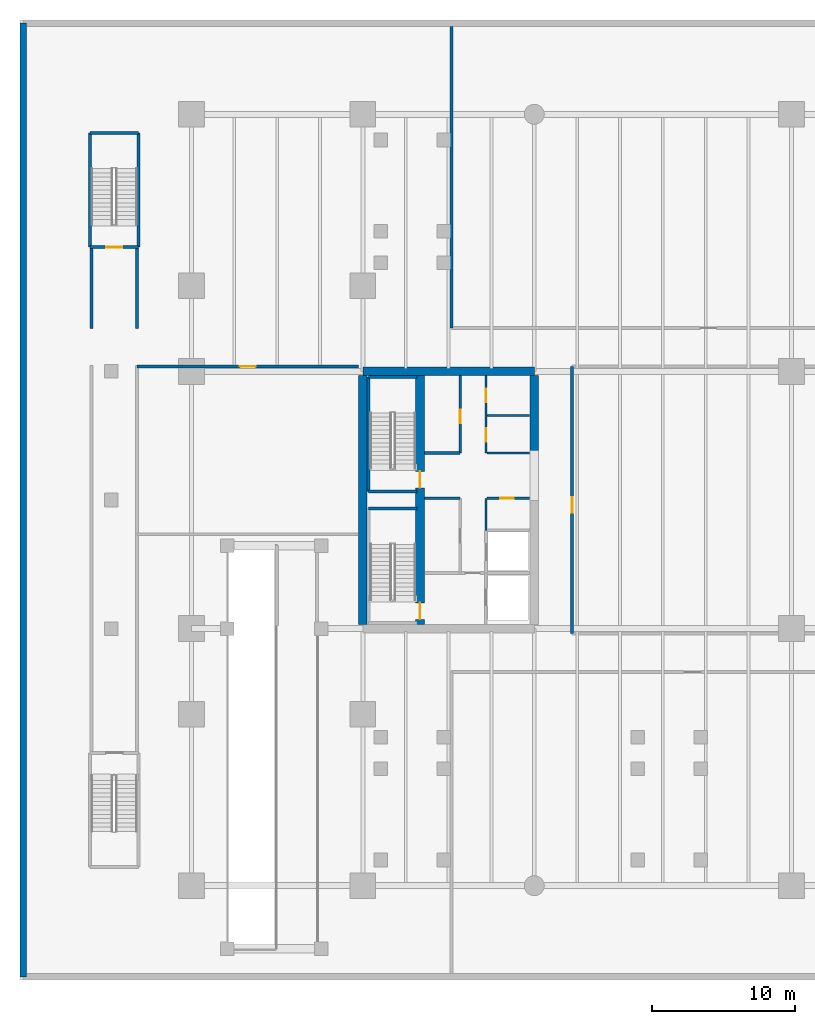
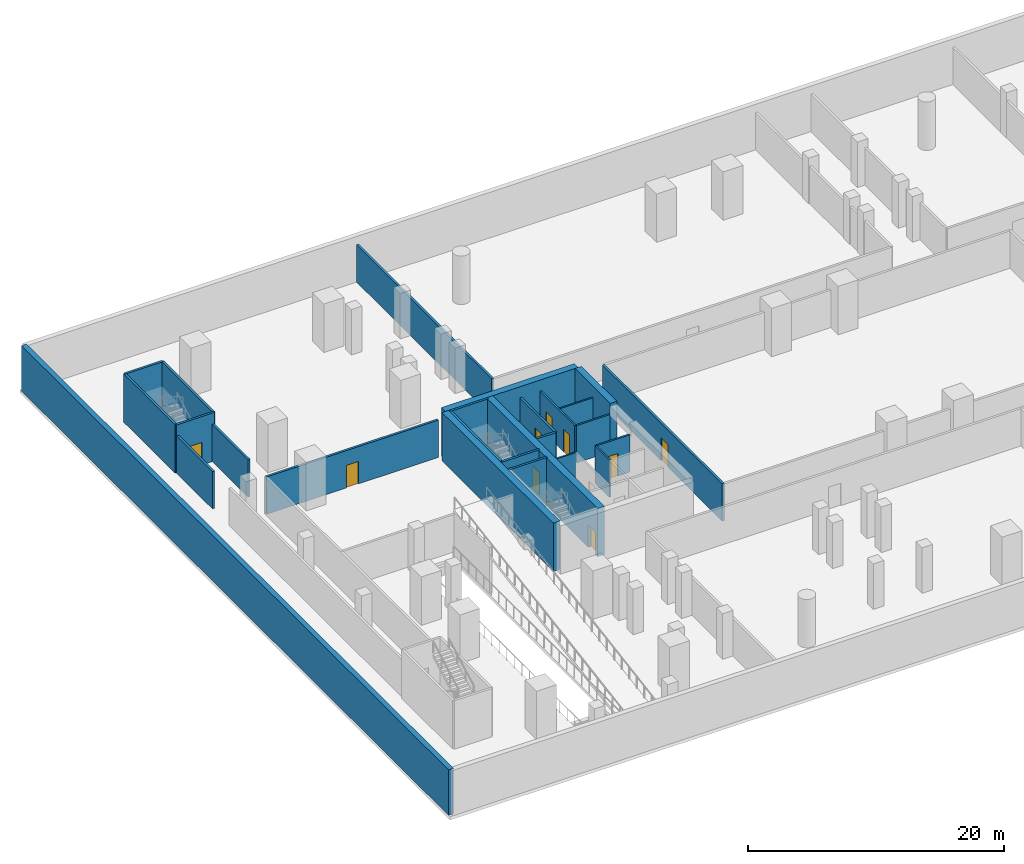
# One storey, part 6 of 13: 26 walls, 9 doors, 9 openings.
"""IFC4 building model written with IfcOpenShell, lengths in metres."""

from ifc_helpers import new_model, si_unit, direction, frame, frame_2d, origin, place, context, subcontext, project, spatial, rectangle, extrude, material, layer, layer_set, type_object, element, fill, save


model = new_model("IFC4")

# Units and contexts
model_context = context("Model", 3, precision=1e-05, world=origin(), true_north=direction((0.0, 1.0)))
body_context = subcontext(model_context, "Body", "Model", "MODEL_VIEW")
ifc_project = project(units=[si_unit("LENGTHUNIT", "METRE"), si_unit("AREAUNIT", "SQUARE_METRE"), si_unit("VOLUMEUNIT", "CUBIC_METRE"), si_unit("PLANEANGLEUNIT", "RADIAN"), si_unit("MASSUNIT", "GRAM", prefix="KILO")], contexts=[model_context])

# Site, building, storey
site_placement = place(None, origin())
site = spatial("IfcSite", under=ifc_project, at=site_placement, CompositionType="ELEMENT")
building_placement = place(site_placement, origin())
building = spatial("IfcBuilding", under=site, at=building_placement, Name="Tanjung Sevakor Pilgrim Tower", CompositionType="ELEMENT")
storey_placement = place(building_placement, frame((0.0, 0.0, -4.6201171875)))
storey = spatial("IfcBuildingStorey", under=building, at=storey_placement, Name="B01", CompositionType="ELEMENT", Elevation=-4.6201171875)

# Walls
ifc_material_1 = material(Name="Concrete C60/75", Category="concrete")
ifc_layer_1 = layer(ifc_material_1, 0.60009765625)
ifc_layer_set_1 = layer_set([ifc_layer_1], Name="WALL-CW-600B")
wall_type_1 = type_object("IfcWallType", Name="WALL-CW-600B", PredefinedType="SHEAR", material=ifc_layer_set_1)
wall_1_placement = place(storey_placement, frame((36.0, 42.60009765625, 0.0), z_axis=(0.0, 0.0, 1.0), x_axis=(-1.0, 0.0, 0.0)))
element("IfcWall", 1, at=wall_1_placement, inside=storey, type_object=wall_type_1, Name="B01 W Core North Shear Wall", PredefinedType="SHEAR", context=body_context, shape_type="SweptSolid", body=[
    extrude(rectangle(XDim=12.0, YDim=0.60009765625, at=frame_2d((6.0, 0.0))), origin(), (0.0, 0.0, 1.0), 4.6201171875),
])
wall_2_placement = place(storey_placement, frame((24.0, 24.89990234375, 0.0), z_axis=(0.0, 0.0, 1.0), x_axis=(0.0, 1.0, 0.0)))
element("IfcWall", 2, at=wall_2_placement, inside=storey, type_object=wall_type_1, Name="B01 W Core Outer Shear Wall", PredefinedType="SHEAR", context=body_context, shape_type="SweptSolid", body=[
    extrude(rectangle(XDim=17.400146484375, YDim=0.60009765625, at=frame_2d((8.7001953125, 0.0))), origin(), (0.0, 0.0, 1.0), 4.6201171875),
])
wall_3_placement = place(storey_placement, frame((36.0, 36.800048828125, 0.0), z_axis=(0.0, 0.0, 1.0), x_axis=(0.0, 1.0, 0.0)))
element("IfcWall", 3, at=wall_3_placement, inside=storey, type_object=wall_type_1, Name="B01 W Core Inner Shear Wall North", PredefinedType="SHEAR", context=body_context, shape_type="SweptSolid", body=[
    extrude(rectangle(XDim=5.5, YDim=0.60009765625, at=frame_2d((2.75, 0.0))), origin(), (0.0, 0.0, 1.0), 4.6201171875),
])

# Wall, openings, doors
wall_4_placement = place(storey_placement, frame((28.0, 24.89990234375, 0.0), z_axis=(0.0, 0.0, 1.0), x_axis=(0.0, 1.0, 0.0)))
wall_4 = element("IfcWall", 4, at=wall_4_placement, inside=storey, type_object=wall_type_1, Name="B01 W Core Stair Spine Wall", PredefinedType="SHEAR", context=body_context, shape_type="SweptSolid", body=[
    extrude(rectangle(XDim=17.400146484375, YDim=0.60009765625, at=frame_2d((8.7001953125, 0.0))), origin(), (0.0, 0.0, 1.0), 4.6201171875),
])
opening_1_placement = place(wall_4_placement, frame((0.35009765625, 0.0, 0.0)))
opening_1 = element("IfcOpeningElement", 5, at=opening_1_placement, cuts=wall_4, Name="Opening ID-ST1", PredefinedType="OPENING", context=body_context, shape_type="SweptSolid", body=[
    extrude(rectangle(XDim=1.14990234375, YDim=2.14990234375, at=frame_2d((0.574951171875, 1.074951171875))), frame((0.0, 0.31005859375, 0.0), z_axis=(0.0, -1.0, 0.0), x_axis=(1.0, 0.0, 0.0)), (0.0, 0.0, 1.0), 0.6201171875),
])
opening_2_placement = place(wall_4_placement, frame((9.550048828125, 0.0, 0.0)))
opening_2 = element("IfcOpeningElement", 6, at=opening_2_placement, cuts=wall_4, Name="Opening ID-ST1", PredefinedType="OPENING", context=body_context, shape_type="SweptSolid", body=[
    extrude(rectangle(XDim=1.14990234375, YDim=2.14990234375, at=frame_2d((0.574951171875, 1.074951171875))), frame((0.0, 0.31005859375, 0.0), z_axis=(0.0, -1.0, 0.0), x_axis=(1.0, 0.0, 0.0)), (0.0, 0.0, 1.0), 0.6201171875),
])
ifc_material_2 = material(Name="Fire-Rated Steel S355J2", Category="steel")
door_type_1 = type_object("IfcDoorType", Name="DT-FIRE-1150", OperationType="NOTDEFINED", PredefinedType="DOOR", material=ifc_material_2)
door_1_placement = place(opening_1_placement, origin())
door_1 = element("IfcDoor", 7, at=door_1_placement, inside=storey, type_object=door_type_1, Name="B01 TS-W1 Stair Fire Door", OperationType="SINGLE_SWING_RIGHT", OverallHeight=2.14990234375, OverallWidth=1.14990234375, PredefinedType="DOOR", context=body_context, shape_type="SweptSolid", body=[
    extrude(rectangle(XDim=1.14990234375, YDim=2.14990234375, at=frame_2d((0.574951171875, 1.074951171875))), frame((0.0, 0.02490234375, 0.0), z_axis=(0.0, -1.0, 0.0), x_axis=(1.0, 0.0, 0.0)), (0.0, 0.0, 1.0), 0.050048828125),
])
fill(opening_1, door_1)
door_2_placement = place(opening_2_placement, origin())
door_2 = element("IfcDoor", 8, at=door_2_placement, inside=storey, type_object=door_type_1, Name="B01 TS-W2 Stair Fire Door", OperationType="SINGLE_SWING_LEFT", OverallHeight=2.14990234375, OverallWidth=1.14990234375, PredefinedType="DOOR", context=body_context, shape_type="SweptSolid", body=[
    extrude(rectangle(XDim=1.14990234375, YDim=2.14990234375, at=frame_2d((0.574951171875, 1.074951171875))), frame((0.0, 0.02490234375, 0.0), z_axis=(0.0, -1.0, 0.0), x_axis=(1.0, 0.0, 0.0)), (0.0, 0.0, 1.0), 0.050048828125),
])
fill(opening_2, door_2)

# Walls
ifc_material_3 = material(Name="Concrete C40/50", Category="concrete")
ifc_layer_2 = layer(ifc_material_3, 0.14990234375)
ifc_layer_set_2 = layer_set([ifc_layer_2], Name="WT-COMP-150")
wall_type_2 = type_object("IfcWallType", Name="WT-COMP-150", PredefinedType="SOLIDWALL", material=ifc_layer_set_2)
wall_5_placement = place(storey_placement, frame((28.320068359375, 33.719970703125, 0.0), z_axis=(0.0, 0.0, 1.0), x_axis=(1.0, 0.0, 0.0)))
element("IfcWall", 9, at=wall_5_placement, inside=storey, type_object=wall_type_2, Name="B01 Partition IW-B01-003", PredefinedType="SOLIDWALL", context=body_context, shape_type="SweptSolid", body=[
    extrude(rectangle(XDim=2.47998046875, YDim=0.14990234375, at=frame_2d((1.239990234375, 0.0))), origin(), (0.0, 0.0, 1.0), 3.56005859375),
])
wall_6_placement = place(storey_placement, frame((32.6201171875, 31.47998046875, 0.0), z_axis=(0.0, 0.0, 1.0), x_axis=(0.0, 1.0, 0.0)))
element("IfcWall", 10, at=wall_6_placement, inside=storey, type_object=wall_type_2, Name="B01 Partition IW-B01-007", PredefinedType="SOLIDWALL", context=body_context, shape_type="SweptSolid", body=[
    extrude(rectangle(XDim=2.239990234375, YDim=0.14990234375, at=frame_2d((1.1201171875, 0.0))), origin(), (0.0, 0.0, 1.0), 3.56005859375),
])

# Wall, opening, door
wall_7_placement = place(storey_placement, frame((32.679931640625, 33.719970703125, 0.0), z_axis=(0.0, 0.0, 1.0), x_axis=(1.0, 0.0, 0.0)))
wall_7 = element("IfcWall", 11, at=wall_7_placement, inside=storey, type_object=wall_type_2, Name="B01 Partition IW-B01-008", PredefinedType="SOLIDWALL", context=body_context, shape_type="SweptSolid", body=[
    extrude(rectangle(XDim=3.0, YDim=0.14990234375, at=frame_2d((1.5, 0.0))), origin(), (0.0, 0.0, 1.0), 3.56005859375),
])
opening_3_placement = place(wall_7_placement, frame((0.949951171875, 0.0, 0.0)))
opening_3 = element("IfcOpeningElement", 12, at=opening_3_placement, cuts=wall_7, Name="Opening ID-FD2", PredefinedType="OPENING", context=body_context, shape_type="SweptSolid", body=[
    extrude(rectangle(XDim=0.949951171875, YDim=2.14990234375, at=frame_2d((0.47509765625, 1.074951171875))), frame((0.0, 0.0849609375, 0.0), z_axis=(0.0, -1.0, 0.0), x_axis=(1.0, 0.0, 0.0)), (0.0, 0.0, 1.0), 0.169921875),
])
ifc_material_4 = material(Name="Fire-Rated Timber", Category="wood")
door_type_2 = type_object("IfcDoorType", Name="DT-FIRE-950", OperationType="NOTDEFINED", PredefinedType="DOOR", material=ifc_material_4)
door_3_placement = place(opening_3_placement, origin())
door_3 = element("IfcDoor", 13, at=door_3_placement, inside=storey, type_object=door_type_2, Name="B01 Accessible WC Door", OperationType="SINGLE_SWING_LEFT", OverallHeight=2.14990234375, OverallWidth=0.949951171875, PredefinedType="DOOR", context=body_context, shape_type="SweptSolid", body=[
    extrude(rectangle(XDim=0.949951171875, YDim=2.14990234375, at=frame_2d((0.47509765625, 1.074951171875))), frame((0.0, 0.02490234375, 0.0), z_axis=(0.0, -1.0, 0.0), x_axis=(1.0, 0.0, 0.0)), (0.0, 0.0, 1.0), 0.050048828125),
])
fill(opening_3, door_3)

# Walls
for number, where, z_axis, x_axis, name in (
    (14, (32.679931640625, 36.8798828125, 0.0), (0.0, 0.0, 1.0), (1.0, 0.0, 0.0), "B01 Partition IW-B01-011"),
    (15, (32.679931640625, 39.52001953125, 0.0), (0.0, 0.0, 1.0), (1.0, 0.0, 0.0), "B01 Partition IW-B01-012"),
):
    element("IfcWall", number, at=place(storey_placement, frame(where, z_axis=z_axis, x_axis=x_axis)), inside=storey, type_object=wall_type_2, Name=name, PredefinedType="SOLIDWALL", context=body_context, shape_type="SweptSolid", body=[
        extrude(rectangle(XDim=3.0, YDim=0.14990234375, at=frame_2d((1.5, 0.0))), origin(), (0.0, 0.0, 1.0), 3.56005859375),
    ])

# Wall, openings, doors
wall_8_placement = place(storey_placement, frame((32.6201171875, 36.8798828125, 0.0), z_axis=(0.0, 0.0, 1.0), x_axis=(0.0, 1.0, 0.0)))
wall_8 = element("IfcWall", 16, at=wall_8_placement, inside=storey, type_object=wall_type_2, Name="B01 Partition IW-B01-013", PredefinedType="SOLIDWALL", context=body_context, shape_type="SweptSolid", body=[
    extrude(rectangle(XDim=5.420166015625, YDim=0.14990234375, at=frame_2d((2.7099609375, 0.0))), origin(), (0.0, 0.0, 1.0), 3.56005859375),
])
opening_4_placement = place(wall_8_placement, frame((0.800048828125, 0.0, 0.0)))
opening_4 = element("IfcOpeningElement", 17, at=opening_4_placement, cuts=wall_8, Name="Opening ID-FD2", PredefinedType="OPENING", context=body_context, shape_type="SweptSolid", body=[
    extrude(rectangle(XDim=0.949951171875, YDim=2.14990234375, at=frame_2d((0.47509765625, 1.074951171875))), frame((0.0, 0.0849609375, 0.0), z_axis=(0.0, -1.0, 0.0), x_axis=(1.0, 0.0, 0.0)), (0.0, 0.0, 1.0), 0.169921875),
])
opening_5_placement = place(wall_8_placement, frame((3.550048828125, 0.0, 0.0)))
opening_5 = element("IfcOpeningElement", 18, at=opening_5_placement, cuts=wall_8, Name="Opening ID-FD2", PredefinedType="OPENING", context=body_context, shape_type="SweptSolid", body=[
    extrude(rectangle(XDim=0.949951171875, YDim=2.14990234375, at=frame_2d((0.47509765625, 1.074951171875))), frame((0.0, 0.0849609375, 0.0), z_axis=(0.0, -1.0, 0.0), x_axis=(1.0, 0.0, 0.0)), (0.0, 0.0, 1.0), 0.169921875),
])
door_4_placement = place(opening_4_placement, origin())
door_4 = element("IfcDoor", 19, at=door_4_placement, inside=storey, type_object=door_type_2, Name="B01 Public Male WC Door", OperationType="SINGLE_SWING_LEFT", OverallHeight=2.14990234375, OverallWidth=0.949951171875, PredefinedType="DOOR", context=body_context, shape_type="SweptSolid", body=[
    extrude(rectangle(XDim=0.949951171875, YDim=2.14990234375, at=frame_2d((0.47509765625, 1.074951171875))), frame((0.0, 0.02490234375, 0.0), z_axis=(0.0, -1.0, 0.0), x_axis=(1.0, 0.0, 0.0)), (0.0, 0.0, 1.0), 0.050048828125),
])
fill(opening_4, door_4)
door_5_placement = place(opening_5_placement, origin())
door_5 = element("IfcDoor", 20, at=door_5_placement, inside=storey, type_object=door_type_2, Name="B01 Public Female WC Door", OperationType="SINGLE_SWING_RIGHT", OverallHeight=2.14990234375, OverallWidth=0.949951171875, PredefinedType="DOOR", context=body_context, shape_type="SweptSolid", body=[
    extrude(rectangle(XDim=0.949951171875, YDim=2.14990234375, at=frame_2d((0.47509765625, 1.074951171875))), frame((0.0, 0.02490234375, 0.0), z_axis=(0.0, -1.0, 0.0), x_axis=(1.0, 0.0, 0.0)), (0.0, 0.0, 1.0), 0.050048828125),
])
fill(opening_5, door_5)

# Walls
ifc_material_5 = material(Name="Concrete C40/50", Category="concrete")
ifc_layer_3 = layer(ifc_material_5, 0.199951171875)
ifc_layer_set_3 = layer_set([ifc_layer_3], Name="WT-FIRE-200")
wall_type_3 = type_object("IfcWallType", Name="WT-FIRE-200", PredefinedType="SOLIDWALL", material=ifc_layer_set_3)
for number, where, z_axis, x_axis, name in (
    (21, (27.800048828125, 33.0, 0.0), (0.0, 0.0, 1.0), (-1.0, 0.0, 0.0), "B01 TS-W1 Shaft Wall 2"),
    (22, (24.39990234375, 34.199951171875, 0.0), (0.0, 0.0, 1.0), (1.0, 0.0, 0.0), "B01 TS-W2 Shaft Wall 1"),
    (23, (27.800048828125, 42.199951171875, 0.0), (0.0, 0.0, 1.0), (-1.0, 0.0, 0.0), "B01 TS-W2 Shaft Wall 2"),
):
    element("IfcWall", number, at=place(storey_placement, frame(where, z_axis=z_axis, x_axis=x_axis)), inside=storey, type_object=wall_type_3, Name=name, PredefinedType="SOLIDWALL", context=body_context, shape_type="SweptSolid", body=[
        extrude(rectangle(XDim=3.400146484375, YDim=0.199951171875, at=frame_2d((1.7001953125, 0.0))), origin(), (0.0, 0.0, 1.0), 4.6201171875),
    ])
wall_9_placement = place(storey_placement, frame((24.39990234375, 42.199951171875, 0.0), z_axis=(0.0, 0.0, 1.0), x_axis=(0.0, -1.0, 0.0)))
element("IfcWall", 24, at=wall_9_placement, inside=storey, type_object=wall_type_3, Name="B01 TS-W2 Shaft Wall 3", PredefinedType="SOLIDWALL", context=body_context, shape_type="SweptSolid", body=[
    extrude(rectangle(XDim=8.0, YDim=0.199951171875, at=frame_2d((4.0, 0.0))), origin(), (0.0, 0.0, 1.0), 4.6201171875),
])

# Wall, opening, door
wall_10_placement = place(storey_placement, frame((4.89990234375, 51.300048828125, 0.0), z_axis=(0.0, 0.0, 1.0), x_axis=(1.0, 0.0, 0.0)))
wall_10 = element("IfcWall", 25, at=wall_10_placement, inside=storey, type_object=wall_type_3, Name="B01 BS-2 Shaft Wall 1", PredefinedType="SOLIDWALL", context=body_context, shape_type="SweptSolid", body=[
    extrude(rectangle(XDim=3.400146484375, YDim=0.199951171875, at=frame_2d((1.7001953125, 0.0))), origin(), (0.0, 0.0, 1.0), 4.6201171875),
])
opening_6_placement = place(wall_10_placement, frame((1.125, 0.0, 0.0)))
opening_6 = element("IfcOpeningElement", 26, at=opening_6_placement, cuts=wall_10, Name="Opening ID-ST1", PredefinedType="OPENING", context=body_context, shape_type="SweptSolid", body=[
    extrude(rectangle(XDim=1.14990234375, YDim=2.14990234375, at=frame_2d((0.574951171875, 1.074951171875))), frame((0.0, 0.10986328125, 0.0), z_axis=(0.0, -1.0, 0.0), x_axis=(1.0, 0.0, 0.0)), (0.0, 0.0, 1.0), 0.219970703125),
])
door_6_placement = place(opening_6_placement, origin())
door_6 = element("IfcDoor", 27, at=door_6_placement, inside=storey, type_object=door_type_1, Name="B01 BS-2 Stair Entry Fire Door", OperationType="SINGLE_SWING_LEFT", OverallHeight=2.14990234375, OverallWidth=1.14990234375, PredefinedType="DOOR", context=body_context, shape_type="SweptSolid", body=[
    extrude(rectangle(XDim=1.14990234375, YDim=2.14990234375, at=frame_2d((0.574951171875, 1.074951171875))), frame((0.0, 0.02490234375, 0.0), z_axis=(0.0, -1.0, 0.0), x_axis=(1.0, 0.0, 0.0)), (0.0, 0.0, 1.0), 0.050048828125),
])
fill(opening_6, door_6)

# Walls
wall_11_placement = place(storey_placement, frame((8.300048828125, 51.300048828125, 0.0), z_axis=(0.0, 0.0, 1.0), x_axis=(0.0, 1.0, 0.0)))
element("IfcWall", 28, at=wall_11_placement, inside=storey, type_object=wall_type_3, Name="B01 BS-2 Shaft Wall 2", PredefinedType="SOLIDWALL", context=body_context, shape_type="SweptSolid", body=[
    extrude(rectangle(XDim=8.0, YDim=0.199951171875, at=frame_2d((4.0, 0.0))), origin(), (0.0, 0.0, 1.0), 4.6201171875),
])
wall_12_placement = place(storey_placement, frame((8.300048828125, 59.300048828125, 0.0), z_axis=(0.0, 0.0, 1.0), x_axis=(-1.0, 0.0, 0.0)))
element("IfcWall", 29, at=wall_12_placement, inside=storey, type_object=wall_type_3, Name="B01 BS-2 Shaft Wall 3", PredefinedType="SOLIDWALL", context=body_context, shape_type="SweptSolid", body=[
    extrude(rectangle(XDim=3.400146484375, YDim=0.199951171875, at=frame_2d((1.7001953125, 0.0))), origin(), (0.0, 0.0, 1.0), 4.6201171875),
])
wall_13_placement = place(storey_placement, frame((4.89990234375, 59.300048828125, 0.0), z_axis=(0.0, 0.0, 1.0), x_axis=(0.0, -1.0, 0.0)))
element("IfcWall", 30, at=wall_13_placement, inside=storey, type_object=wall_type_3, Name="B01 BS-2 Shaft Wall 4", PredefinedType="SOLIDWALL", context=body_context, shape_type="SweptSolid", body=[
    extrude(rectangle(XDim=8.0, YDim=0.199951171875, at=frame_2d((4.0, 0.0))), origin(), (0.0, 0.0, 1.0), 4.6201171875),
])
ifc_material_6 = material(Name="Concrete C40/50", Category="concrete")
ifc_layer_4 = layer(ifc_material_6, 0.199951171875)
ifc_layer_set_4 = layer_set([ifc_layer_4], Name="WT-FPRT-200")
wall_type_4 = type_object("IfcWallType", Name="WT-FPRT-200", PredefinedType="SOLIDWALL", material=ifc_layer_set_4)
wall_14_placement = place(storey_placement, frame((28.320068359375, 36.8798828125, 0.0), z_axis=(0.0, 0.0, 1.0), x_axis=(1.0, 0.0, 0.0)))
element("IfcWall", 31, at=wall_14_placement, inside=storey, type_object=wall_type_4, Name="B01 Partition IW-B01-009", PredefinedType="SOLIDWALL", context=body_context, shape_type="SweptSolid", body=[
    extrude(rectangle(XDim=2.47998046875, YDim=0.199951171875, at=frame_2d((1.239990234375, 0.0))), origin(), (0.0, 0.0, 1.0), 3.56005859375),
])

# Wall, opening, door
wall_15_placement = place(storey_placement, frame((30.820068359375, 36.8798828125, 0.0), z_axis=(0.0, 0.0, 1.0), x_axis=(0.0, 1.0, 0.0)))
wall_15 = element("IfcWall", 32, at=wall_15_placement, inside=storey, type_object=wall_type_4, Name="B01 Partition IW-B01-010", PredefinedType="SOLIDWALL", context=body_context, shape_type="SweptSolid", body=[
    extrude(rectangle(XDim=5.420166015625, YDim=0.199951171875, at=frame_2d((2.7099609375, 0.0))), origin(), (0.0, 0.0, 1.0), 3.56005859375),
])
opening_7_placement = place(wall_15_placement, frame((2.10009765625, 0.0, 0.0)))
opening_7 = element("IfcOpeningElement", 33, at=opening_7_placement, cuts=wall_15, Name="Opening ID-FD2", PredefinedType="OPENING", context=body_context, shape_type="SweptSolid", body=[
    extrude(rectangle(XDim=0.949951171875, YDim=2.14990234375, at=frame_2d((0.47509765625, 1.074951171875))), frame((0.0, 0.10986328125, 0.0), z_axis=(0.0, -1.0, 0.0), x_axis=(1.0, 0.0, 0.0)), (0.0, 0.0, 1.0), 0.219970703125),
])
door_7_placement = place(opening_7_placement, origin())
door_7 = element("IfcDoor", 34, at=door_7_placement, inside=storey, type_object=door_type_2, Name="B01 Electrical Riser Door", OperationType="SINGLE_SWING_RIGHT", OverallHeight=2.14990234375, OverallWidth=0.949951171875, PredefinedType="DOOR", context=body_context, shape_type="SweptSolid", body=[
    extrude(rectangle(XDim=0.949951171875, YDim=2.14990234375, at=frame_2d((0.47509765625, 1.074951171875))), frame((0.0, 0.02490234375, 0.0), z_axis=(0.0, -1.0, 0.0), x_axis=(1.0, 0.0, 0.0)), (0.0, 0.0, 1.0), 0.050048828125),
])
fill(opening_7, door_7)

# Walls
for number, where, z_axis, x_axis, name in (
    (35, (5.0, 45.60009765625, 0.0), (0.0, 0.0, 1.0), (0.0, 1.0, 0.0), "B01 Partition IW-B01-027"),
    (36, (8.199951171875, 45.60009765625, 0.0), (0.0, 0.0, 1.0), (0.0, 1.0, 0.0), "B01 Partition IW-B01-028"),
):
    element("IfcWall", number, at=place(storey_placement, frame(where, z_axis=z_axis, x_axis=x_axis)), inside=storey, type_object=wall_type_4, Name=name, PredefinedType="SOLIDWALL", context=body_context, shape_type="SweptSolid", body=[
        extrude(rectangle(XDim=5.699951171875, YDim=0.199951171875, at=frame_2d((2.85009765625, 0.0))), origin(), (0.0, 0.0, 1.0), 3.56005859375),
    ])

# Wall, opening, door
wall_16_placement = place(storey_placement, frame((8.199951171875, 42.949951171875, 0.0), z_axis=(0.0, 0.0, 1.0), x_axis=(1.0, 0.0, 0.0)))
wall_16 = element("IfcWall", 37, at=wall_16_placement, inside=storey, type_object=wall_type_4, Name="B01 Partition IW-B01-041", PredefinedType="SOLIDWALL", context=body_context, shape_type="SweptSolid", body=[
    extrude(rectangle(XDim=15.47998046875, YDim=0.199951171875, at=frame_2d((7.739990234375, 0.0))), origin(), (0.0, 0.0, 1.0), 3.56005859375),
])
opening_8_placement = place(wall_16_placement, frame((7.18994140625, 0.0, 0.0)))
opening_8 = element("IfcOpeningElement", 38, at=opening_8_placement, cuts=wall_16, Name="Opening ID-FD0", PredefinedType="OPENING", context=body_context, shape_type="SweptSolid", body=[
    extrude(rectangle(XDim=1.10009765625, YDim=2.14990234375, at=frame_2d((0.550048828125, 1.074951171875))), frame((0.0, 0.10986328125, 0.0), z_axis=(0.0, -1.0, 0.0), x_axis=(1.0, 0.0, 0.0)), (0.0, 0.0, 1.0), 0.219970703125),
])
ifc_material_7 = material(Name="Fire-Rated Steel S355J2", Category="steel")
door_type_3 = type_object("IfcDoorType", Name="DT-FIRE-1100", OperationType="NOTDEFINED", PredefinedType="DOOR", material=ifc_material_7)
door_8_placement = place(opening_8_placement, origin())
door_8 = element("IfcDoor", 39, at=door_8_placement, inside=storey, type_object=door_type_3, Name="B01 Substation Door", OperationType="SINGLE_SWING_LEFT", OverallHeight=2.14990234375, OverallWidth=1.10009765625, PredefinedType="DOOR", context=body_context, shape_type="SweptSolid", body=[
    extrude(rectangle(XDim=1.10009765625, YDim=2.14990234375, at=frame_2d((0.550048828125, 1.074951171875))), frame((0.0, 0.02490234375, 0.0), z_axis=(0.0, -1.0, 0.0), x_axis=(1.0, 0.0, 0.0)), (0.0, 0.0, 1.0), 0.050048828125),
])
fill(opening_8, door_8)

wall_17_placement = place(storey_placement, frame((38.64990234375, 24.25, 0.0), z_axis=(0.0, 0.0, 1.0), x_axis=(0.0, 1.0, 0.0)))
wall_17 = element("IfcWall", 40, at=wall_17_placement, inside=storey, type_object=wall_type_4, Name="B01 Partition IW-B01-047", PredefinedType="SOLIDWALL", context=body_context, shape_type="SweptSolid", body=[
    extrude(rectangle(XDim=18.699951171875, YDim=0.199951171875, at=frame_2d((9.35009765625, 0.0))), origin(), (0.0, 0.0, 1.0), 3.56005859375),
])
opening_9_placement = place(wall_17_placement, frame((8.449951171875, 0.0, 0.0)))
opening_9 = element("IfcOpeningElement", 41, at=opening_9_placement, cuts=wall_17, Name="Opening ID-FD0", PredefinedType="OPENING", context=body_context, shape_type="SweptSolid", body=[
    extrude(rectangle(XDim=1.10009765625, YDim=2.14990234375, at=frame_2d((0.550048828125, 1.074951171875))), frame((0.0, 0.10986328125, 0.0), z_axis=(0.0, -1.0, 0.0), x_axis=(1.0, 0.0, 0.0)), (0.0, 0.0, 1.0), 0.219970703125),
])
door_9_placement = place(opening_9_placement, origin())
door_9 = element("IfcDoor", 42, at=door_9_placement, inside=storey, type_object=door_type_3, Name="B01 Cold Store Door", OperationType="SINGLE_SWING_LEFT", OverallHeight=2.14990234375, OverallWidth=1.10009765625, PredefinedType="DOOR", context=body_context, shape_type="SweptSolid", body=[
    extrude(rectangle(XDim=1.10009765625, YDim=2.14990234375, at=frame_2d((0.550048828125, 1.074951171875))), frame((0.0, 0.02490234375, 0.0), z_axis=(0.0, -1.0, 0.0), x_axis=(1.0, 0.0, 0.0)), (0.0, 0.0, 1.0), 0.050048828125),
])
fill(opening_9, door_9)

# Walls
wall_18_placement = place(storey_placement, frame((30.199951171875, 45.64990234375, 0.0), z_axis=(0.0, 0.0, 1.0), x_axis=(0.0, 1.0, 0.0)))
element("IfcWall", 43, at=wall_18_placement, inside=storey, type_object=wall_type_4, Name="B01 Partition IW-B01-050", PredefinedType="SOLIDWALL", context=body_context, shape_type="SweptSolid", body=[
    extrude(rectangle(XDim=21.10009765625, YDim=0.199951171875, at=frame_2d((10.550048828125, 0.0))), origin(), (0.0, 0.0, 1.0), 3.56005859375),
])
ifc_material_8 = material(Name="Concrete C50/60", Category="concrete")
ifc_layer_5 = layer(ifc_material_8, 0.449951171875)
ifc_layer_set_5 = layer_set([ifc_layer_5], Name="WT-RET-450")
wall_type_5 = type_object("IfcWallType", Name="WT-RET-450", PredefinedType="USERDEFINED", material=ifc_layer_set_5)
wall_19_placement = place(storey_placement, frame((0.22509765625, 66.97509765625, 0.0), z_axis=(0.0, 0.0, 1.0), x_axis=(0.0, -1.0, 0.0)))
element("IfcWall", 44, at=wall_19_placement, inside=storey, type_object=wall_type_5, Name="B01 Perimeter Retaining Wall 4", ObjectType="RETAININGWALL", PredefinedType="USERDEFINED", context=body_context, shape_type="SweptSolid", body=[
    extrude(rectangle(XDim=66.75, YDim=0.449951171875, at=frame_2d((33.375, 0.0))), origin(), (0.0, 0.0, 1.0), 4.340087890625),
])

save(model, "model.ifc")
